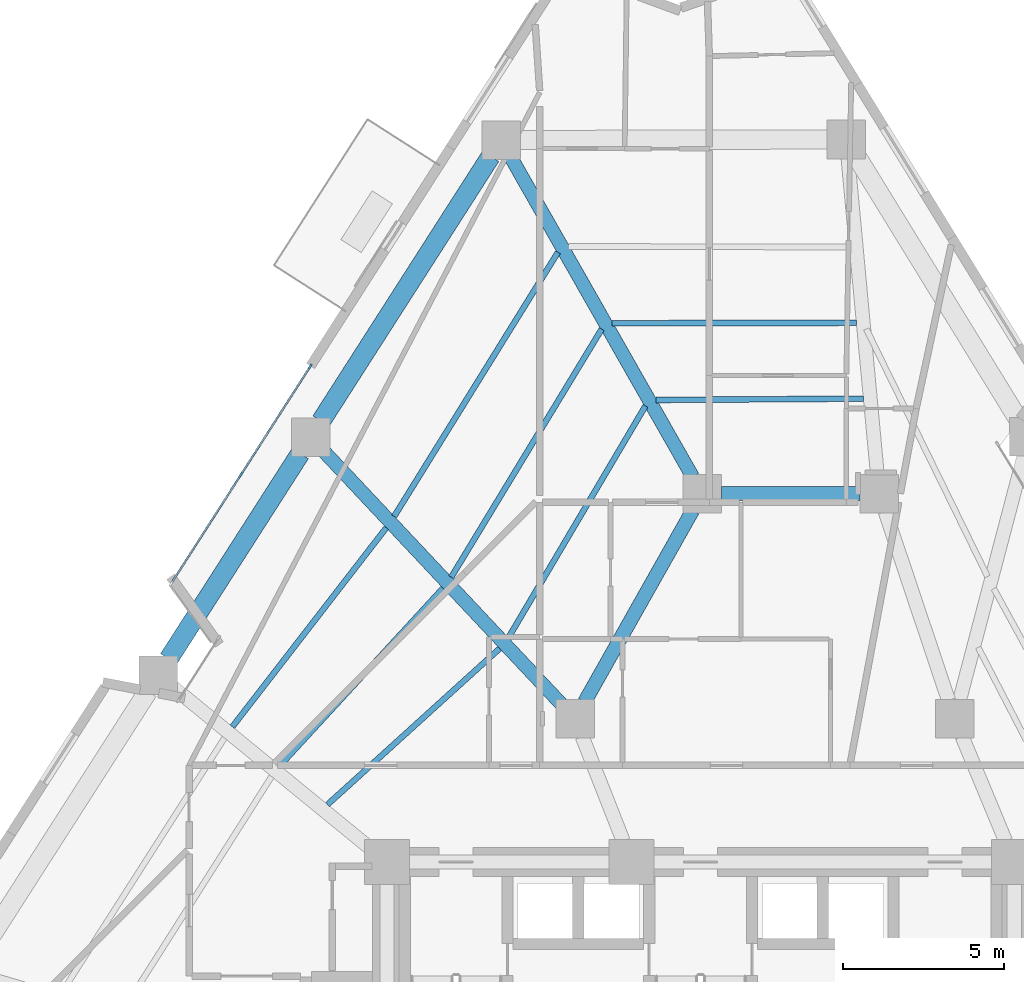
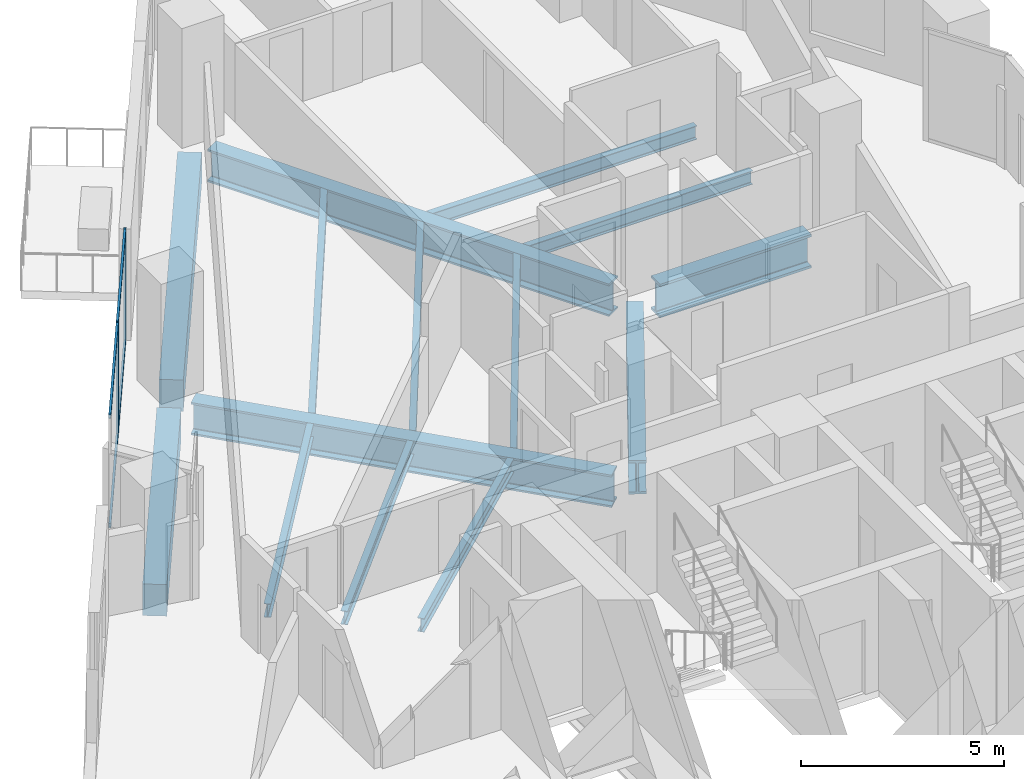
# One storey, part 3 of 13: 14 beams, 6 members, 1 element without a shape of its own.
"""IFC4 building model written with IfcOpenShell, lengths in metres."""

from ifc_helpers import new_model, si_unit, direction, frame, origin, origin_2d, place, context, subcontext, project, spatial, rectangle, i_section, extrude, material, layer, layer_set, material_profile, profile_set, type_object, element, aggregate, save


model = new_model("IFC4")

# Units and contexts
model_context = context("Model", 3, precision=1e-05, world=origin(), true_north=direction((0.0, 1.0)))
body_context = subcontext(model_context, "Body", "Model", "MODEL_VIEW")
ifc_project = project(units=[si_unit("LENGTHUNIT", "METRE"), si_unit("AREAUNIT", "SQUARE_METRE"), si_unit("VOLUMEUNIT", "CUBIC_METRE"), si_unit("PLANEANGLEUNIT", "RADIAN"), si_unit("MASSUNIT", "GRAM", prefix="KILO")], contexts=[model_context])

# Site, building, storey
site_placement = place(None, origin())
site = spatial("IfcSite", under=ifc_project, at=site_placement, CompositionType="ELEMENT")
building_placement = place(site_placement, origin())
building = spatial("IfcBuilding", under=site, at=building_placement, Name="Almagre Mirador Tower", CompositionType="ELEMENT")
storey_placement = place(building_placement, frame((0.0, 0.0, 78.60009765625)))
storey = spatial("IfcBuildingStorey", under=building, at=storey_placement, Name="L19", CompositionType="ELEMENT", Elevation=78.60009765625)

# Beams
ifc_material_1 = material(Name="Steel ASTM A992 Grade 50", Category="steel")
ifc_material_profile_1 = material_profile(ifc_material_1, i_section(OverallWidth=0.178955078125, OverallDepth=0.408935546875, WebThickness=0.0087890625, FlangeThickness=0.014404296875, FilletRadius=0.013916015625, at=origin_2d()), Name="W16X45")
ifc_profile_set_1 = profile_set([ifc_material_profile_1], Name="Steel ASTM A992 Grade 50")
beam_type_1 = type_object("IfcBeamType", Name="BM-JST-W16X45", PredefinedType="JOIST", material=ifc_profile_set_1)
beam_1_placement = place(storey_placement, frame((42.142333984375, 31.50732421875, -0.45458984375), z_axis=(-0.999998857543, -0.001511592523, 0.0), x_axis=(0.001511592523, -0.999998857543, 0.0)))
element("IfcBeam", 1, at=beam_1_placement, inside=storey, type_object=beam_type_1, Name="L19 secondary floor joist PC08-PC09.2", PredefinedType="JOIST", context=body_context, shape_type="SweptSolid", body=[
    extrude(i_section(OverallWidth=0.178955078125, OverallDepth=0.408935546875, WebThickness=0.0087890625, FlangeThickness=0.014404296875, FilletRadius=0.013916015625, at=origin_2d()), origin(), (0.0, 0.0, 1.0), 7.591064453125),
])
beam_2_placement = place(storey_placement, frame((42.361328125, 29.151123046875, -0.45458984375), z_axis=(-0.999979554323, -0.006394602114, 0.0), x_axis=(0.006394602114, -0.999979554323, 0.0)))
element("IfcBeam", 2, at=beam_2_placement, inside=storey, type_object=beam_type_1, Name="L19 secondary floor joist PC08-PC09.3", PredefinedType="JOIST", context=body_context, shape_type="SweptSolid", body=[
    extrude(i_section(OverallWidth=0.178955078125, OverallDepth=0.408935546875, WebThickness=0.0087890625, FlangeThickness=0.014404296875, FilletRadius=0.013916015625, at=origin_2d()), origin(), (0.0, 0.0, 1.0), 6.452392578125),
])
beam_3_placement = place(storey_placement, frame((32.8662109375, 33.70068359375, -0.45458984375), z_axis=(-0.527025078824, -0.849849731594, 0.0), x_axis=(0.849849731594, -0.527025078824, 0.0)))
element("IfcBeam", 3, at=beam_3_placement, inside=storey, type_object=beam_type_1, Name="L19 secondary floor joist PC09-PC10.1", PredefinedType="JOIST", context=body_context, shape_type="SweptSolid", body=[
    extrude(i_section(OverallWidth=0.178955078125, OverallDepth=0.408935546875, WebThickness=0.0087890625, FlangeThickness=0.014404296875, FilletRadius=0.013916015625, at=origin_2d()), origin(), (0.0, 0.0, 1.0), 9.662841796875),
])
beam_4_placement = place(storey_placement, frame((34.226318359375, 31.3125, -0.45458984375), z_axis=(-0.51862919068, -0.854999276359, 0.0), x_axis=(0.854999276359, -0.51862919068, 0.0)))
element("IfcBeam", 4, at=beam_4_placement, inside=storey, type_object=beam_type_1, Name="L19 secondary floor joist PC09-PC10.2", PredefinedType="JOIST", context=body_context, shape_type="SweptSolid", body=[
    extrude(i_section(OverallWidth=0.178955078125, OverallDepth=0.408935546875, WebThickness=0.0087890625, FlangeThickness=0.014404296875, FilletRadius=0.013916015625, at=origin_2d()), origin(), (0.0, 0.0, 1.0), 9.020263671875),
])
beam_5_placement = place(storey_placement, frame((35.586181640625, 28.92431640625, -0.45458984375), z_axis=(-0.508893233188, -0.860829644712, 0.0), x_axis=(0.860829644712, -0.508893233188, 0.0)))
element("IfcBeam", 5, at=beam_5_placement, inside=storey, type_object=beam_type_1, Name="L19 secondary floor joist PC09-PC10.3", PredefinedType="JOIST", context=body_context, shape_type="SweptSolid", body=[
    extrude(i_section(OverallWidth=0.178955078125, OverallDepth=0.408935546875, WebThickness=0.0087890625, FlangeThickness=0.014404296875, FilletRadius=0.013916015625, at=origin_2d()), origin(), (0.0, 0.0, 1.0), 8.37939453125),
])
beam_6_placement = place(storey_placement, frame((27.530029296875, 25.1376953125, -0.45458984375), z_axis=(-0.611727324998, -0.791068694773, 0.0), x_axis=(0.791068694773, -0.611727324998, 0.0)))
element("IfcBeam", 6, at=beam_6_placement, inside=storey, type_object=beam_type_1, Name="L19 secondary floor joist PC10-PC11.1", PredefinedType="JOIST", context=body_context, shape_type="SweptSolid", body=[
    extrude(i_section(OverallWidth=0.178955078125, OverallDepth=0.408935546875, WebThickness=0.0087890625, FlangeThickness=0.014404296875, FilletRadius=0.013916015625, at=origin_2d()), origin(), (0.0, 0.0, 1.0), 7.82080078125),
])
beam_7_placement = place(storey_placement, frame((29.292236328125, 23.259521484375, -0.45458984375), z_axis=(-0.676538846578, -0.73640694529, 0.0), x_axis=(0.73640694529, -0.676538846578, 0.0)))
element("IfcBeam", 7, at=beam_7_placement, inside=storey, type_object=beam_type_1, Name="L19 secondary floor joist PC10-PC11.2", PredefinedType="JOIST", context=body_context, shape_type="SweptSolid", body=[
    extrude(i_section(OverallWidth=0.178955078125, OverallDepth=0.408935546875, WebThickness=0.0087890625, FlangeThickness=0.014404296875, FilletRadius=0.013916015625, at=origin_2d()), origin(), (0.0, 0.0, 1.0), 7.4912109375),
])
beam_8_placement = place(storey_placement, frame((31.054443359375, 21.38330078125, -0.45458984375), z_axis=(-0.7409990396, -0.671506085834, 0.0), x_axis=(0.671506085834, -0.7409990396, 0.0)))
element("IfcBeam", 8, at=beam_8_placement, inside=storey, type_object=beam_type_1, Name="L19 secondary floor joist PC10-PC11.3", PredefinedType="JOIST", context=body_context, shape_type="SweptSolid", body=[
    extrude(i_section(OverallWidth=0.178955078125, OverallDepth=0.408935546875, WebThickness=0.0087890625, FlangeThickness=0.014404296875, FilletRadius=0.013916015625, at=origin_2d()), origin(), (0.0, 0.0, 1.0), 7.22314453125),
])
ifc_material_2 = material(Name="Precast concrete C50/60", Category="concrete")
ifc_material_profile_2 = material_profile(ifc_material_2, rectangle(XDim=0.60009765625, YDim=0.949951171875, at=origin_2d()), Name="RC600X950")
ifc_profile_set_2 = profile_set([ifc_material_profile_2], Name="Precast concrete C50/60")
beam_type_2 = type_object("IfcBeamType", Name="BM-SPN-RC600X950", PredefinedType="SPANDREL", material=ifc_profile_set_2)
beam_9_placement = place(storey_placement, frame((30.7744140625, 36.683837890625, -0.72509765625), z_axis=(-0.539465454843, -0.842007733356, 0.0), x_axis=(0.842007733356, -0.539465454843, 0.0)))
element("IfcBeam", 9, at=beam_9_placement, inside=storey, type_object=beam_type_2, Name="L19 perimeter spandrel beam PC09-PC10", PredefinedType="SPANDREL", context=body_context, shape_type="SweptSolid", body=[
    extrude(rectangle(XDim=0.60009765625, YDim=0.949951171875, at=origin_2d()), origin(), (0.0, 0.0, 1.0), 9.77392578125),
])
beam_10_placement = place(storey_placement, frame((24.854248046875, 27.44384765625, -0.72509765625), z_axis=(-0.539465888447, -0.84200745555, 0.0), x_axis=(0.84200745555, -0.539465888447, 0.0)))
element("IfcBeam", 10, at=beam_10_placement, inside=storey, type_object=beam_type_2, Name="L19 perimeter spandrel beam PC10-PC11", PredefinedType="SPANDREL", context=body_context, shape_type="SweptSolid", body=[
    extrude(rectangle(XDim=0.60009765625, YDim=0.949951171875, at=origin_2d()), origin(), (0.0, 0.0, 1.0), 7.5791015625),
])
ifc_material_3 = material(Name="Steel ASTM A992 Grade 50", Category="steel")
ifc_material_profile_3 = material_profile(ifc_material_3, i_section(OverallWidth=0.427978515625, OverallDepth=0.97509765625, WebThickness=0.031005859375, FlangeThickness=0.055908203125, FilletRadius=0.028076171875, at=origin_2d()), Name="W36X395")
ifc_profile_set_3 = profile_set([ifc_material_profile_3], Name="Steel ASTM A992 Grade 50")
beam_type_3 = type_object("IfcBeamType", Name="BM-STL-W36X395", PredefinedType="BEAM", material=ifc_profile_set_3)
beam_11_placement = place(storey_placement, frame((31.394775390625, 36.66748046875, -0.737548828125), z_axis=(0.494490623946, -0.869182962805, 0.0), x_axis=(0.869182962805, 0.494490623946, 0.0)))
element("IfcBeam", 11, at=beam_11_placement, inside=storey, type_object=beam_type_3, Name="L19 radial floor girder PC09-MC7", PredefinedType="BEAM", context=body_context, shape_type="SweptSolid", body=[
    extrude(i_section(OverallWidth=0.427978515625, OverallDepth=0.97509765625, WebThickness=0.031005859375, FlangeThickness=0.055908203125, FilletRadius=0.028076171875, at=origin_2d()), origin(), (0.0, 0.0, 1.0), 11.44287109375),
])
beam_12_placement = place(storey_placement, frame((25.5888671875, 27.51171875, -0.737548828125), z_axis=(0.684816925133, -0.728715156321, 0.0), x_axis=(0.728715156321, 0.684816925133, 0.0)))
element("IfcBeam", 12, at=beam_12_placement, inside=storey, type_object=beam_type_3, Name="L19 radial floor girder PC10-MC8", PredefinedType="BEAM", context=body_context, shape_type="SweptSolid", body=[
    extrude(i_section(OverallWidth=0.427978515625, OverallDepth=0.97509765625, WebThickness=0.031005859375, FlangeThickness=0.055908203125, FilletRadius=0.028076171875, at=origin_2d()), origin(), (0.0, 0.0, 1.0), 10.805908203125),
])
ifc_material_4 = material(Name="Steel ASTM A992 Grade 50", Category="steel")
ifc_material_profile_4 = material_profile(ifc_material_4, i_section(OverallWidth=0.43701171875, OverallDepth=1.010986328125, WebThickness=0.041015625, FlangeThickness=0.073974609375, FilletRadius=0.028076171875, at=origin_2d()), Name="W36X529")
ifc_profile_set_4 = profile_set([ifc_material_profile_4], Name="Steel ASTM A992 Grade 50")
beam_type_4 = type_object("IfcBeamType", Name="BM-STL-W36X529", PredefinedType="BEAM", material=ifc_profile_set_4)
beam_13_placement = place(storey_placement, frame((37.949951171875, 26.199951171875, -0.755615234375), z_axis=(1.0, 0.0, 0.0), x_axis=(0.0, 1.0, 0.0)))
element("IfcBeam", 13, at=beam_13_placement, inside=storey, type_object=beam_type_4, Name="L19 core tie girder MC7-MC6", PredefinedType="BEAM", context=body_context, shape_type="SweptSolid", body=[
    extrude(i_section(OverallWidth=0.43701171875, OverallDepth=1.010986328125, WebThickness=0.041015625, FlangeThickness=0.073974609375, FilletRadius=0.028076171875, at=origin_2d()), origin(), (0.0, 0.0, 1.0), 4.300048828125),
])
beam_14_placement = place(storey_placement, frame((37.05517578125, 25.677490234375, -0.755615234375), z_axis=(-0.491440637516, -0.870911074564, 0.0), x_axis=(0.870911074564, -0.491440637516, 0.0)))
element("IfcBeam", 14, at=beam_14_placement, inside=storey, type_object=beam_type_4, Name="L19 core tie girder MC7-MC8", PredefinedType="BEAM", context=body_context, shape_type="SweptSolid", body=[
    extrude(i_section(OverallWidth=0.43701171875, OverallDepth=1.010986328125, WebThickness=0.041015625, FlangeThickness=0.073974609375, FilletRadius=0.028076171875, at=origin_2d()), origin(), (0.0, 0.0, 1.0), 6.837646484375),
])

# Curtain wall, members
ifc_material_5 = material(Name="Black anodized aluminium", Category="aluminium")
ifc_layer = layer(ifc_material_5, 0.18994140625)
ifc_layer_set = layer_set([ifc_layer], Name="Black anodized aluminium")
curtain_wall_type = type_object("IfcCurtainWallType", Name="CW-RES-L-SYS", PredefinedType="NOTDEFINED", material=ifc_layer_set)
curtain_wall_placement = place(storey_placement, origin())
curtain_wall = element("IfcCurtainWall", 15, at=curtain_wall_placement, inside=storey, type_object=curtain_wall_type, Name="L19 curtain wall run 02", PredefinedType="NOTDEFINED")
ifc_material_6 = material(Name="Black anodized aluminium", Category="aluminium")
ifc_material_profile_5 = material_profile(ifc_material_6, rectangle(XDim=0.06494140625, YDim=0.179931640625, at=origin_2d()), Name="CWM65X180")
ifc_profile_set_5 = profile_set([ifc_material_profile_5], Name="Black anodized aluminium")
member_type_1 = type_object("IfcMemberType", Name="MBR-CWM65X180", PredefinedType="MULLION", material=ifc_profile_set_5)
member_1_placement = place(storey_placement, frame((23.00390625, 26.7783203125, 0.0), z_axis=(0.0, 0.0, 1.0), x_axis=(-0.8420145831, 0.539454763486, 0.0)))
member_1 = element("IfcMember", 16, at=member_1_placement, type_object=member_type_1, Name="CW-2 mullion 2", PredefinedType="MULLION", context=body_context, shape_type="SweptSolid", body=[
    extrude(rectangle(XDim=0.06494140625, YDim=0.179931640625, at=origin_2d()), origin(), (0.0, 0.0, 1.0), 3.349853515625),
])
member_2_placement = place(storey_placement, frame((25.15966796875, 30.143310546875, 0.0), z_axis=(0.0, 0.0, 1.0), x_axis=(-0.8420145831, 0.539454763486, 0.0)))
member_2 = element("IfcMember", 17, at=member_2_placement, type_object=member_type_1, Name="CW-2 mullion 3", PredefinedType="MULLION", context=body_context, shape_type="SweptSolid", body=[
    extrude(rectangle(XDim=0.06494140625, YDim=0.179931640625, at=origin_2d()), origin(), (0.0, 0.0, 1.0), 3.349853515625),
])
ifc_material_7 = material(Name="Black anodized aluminium", Category="aluminium")
ifc_material_profile_6 = material_profile(ifc_material_7, rectangle(XDim=0.06005859375, YDim=0.1298828125, at=origin_2d()), Name="CWT60X130")
ifc_profile_set_6 = profile_set([ifc_material_profile_6], Name="Black anodized aluminium")
member_type_2 = type_object("IfcMemberType", Name="MBR-CWT60X130", PredefinedType="USERDEFINED", material=ifc_profile_set_6)
member_3_placement = place(storey_placement, frame((20.865478515625, 23.44091796875, 0.02978515625), z_axis=(0.539488909489, 0.841992705751, 0.0), x_axis=(-0.841992705751, 0.539488909489, 0.0)))
member_3 = element("IfcMember", 18, at=member_3_placement, type_object=member_type_2, Name="CW-2 transom 1.1", ObjectType="TRANSOM", PredefinedType="USERDEFINED", context=body_context, shape_type="SweptSolid", body=[
    extrude(rectangle(XDim=0.06005859375, YDim=0.1298828125, at=origin_2d()), origin(), (0.0, 0.0, 1.0), 3.93115234375),
])
member_4_placement = place(storey_placement, frame((20.865478515625, 23.44091796875, 3.31982421875), z_axis=(0.539488909489, 0.841992705751, 0.0), x_axis=(-0.841992705751, 0.539488909489, 0.0)))
member_4 = element("IfcMember", 19, at=member_4_placement, type_object=member_type_2, Name="CW-2 transom 1.2", ObjectType="TRANSOM", PredefinedType="USERDEFINED", context=body_context, shape_type="SweptSolid", body=[
    extrude(rectangle(XDim=0.06005859375, YDim=0.1298828125, at=origin_2d()), origin(), (0.0, 0.0, 1.0), 3.93115234375),
])
member_5_placement = place(storey_placement, frame((23.021484375, 26.8056640625, 0.02978515625), z_axis=(0.539416670791, 0.842038986789, 0.0), x_axis=(-0.842038986789, 0.539416670791, 0.0)))
member_5 = element("IfcMember", 20, at=member_5_placement, type_object=member_type_2, Name="CW-2 transom 2.1", ObjectType="TRANSOM", PredefinedType="USERDEFINED", context=body_context, shape_type="SweptSolid", body=[
    extrude(rectangle(XDim=0.06005859375, YDim=0.1298828125, at=origin_2d()), origin(), (0.0, 0.0, 1.0), 3.931396484375),
])
member_6_placement = place(storey_placement, frame((23.021484375, 26.8056640625, 3.31982421875), z_axis=(0.539416670791, 0.842038986789, 0.0), x_axis=(-0.842038986789, 0.539416670791, 0.0)))
member_6 = element("IfcMember", 21, at=member_6_placement, type_object=member_type_2, Name="CW-2 transom 2.2", ObjectType="TRANSOM", PredefinedType="USERDEFINED", context=body_context, shape_type="SweptSolid", body=[
    extrude(rectangle(XDim=0.06005859375, YDim=0.1298828125, at=origin_2d()), origin(), (0.0, 0.0, 1.0), 3.931396484375),
])
aggregate(curtain_wall, [member_1, member_2, member_3, member_4, member_5, member_6])

save(model, "model.ifc")
